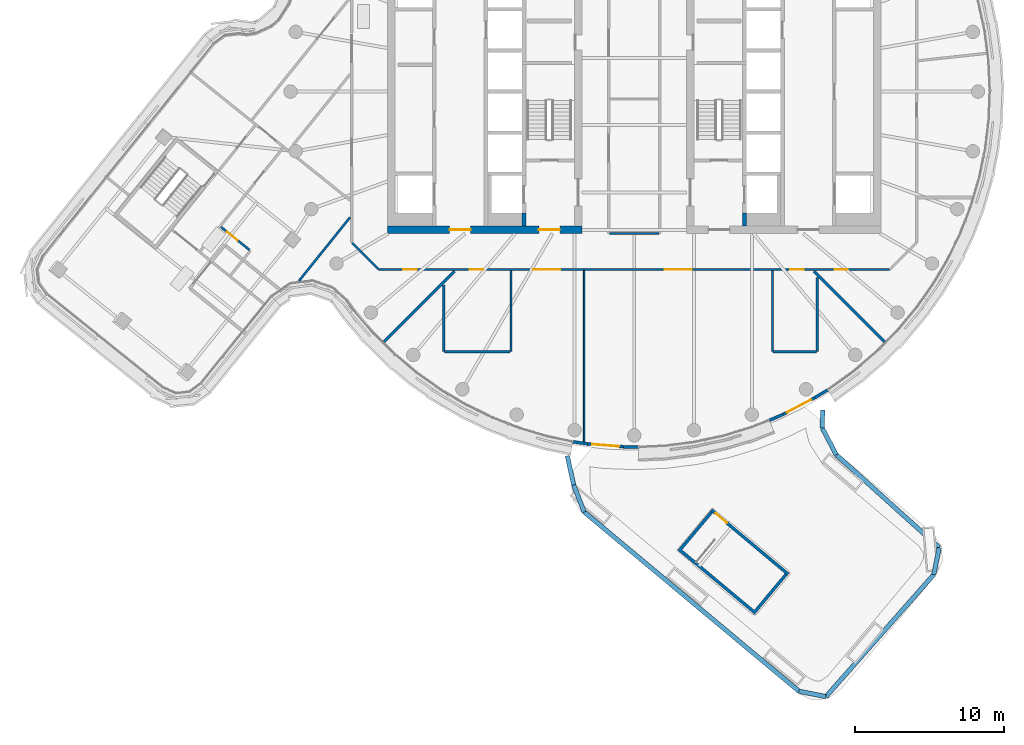
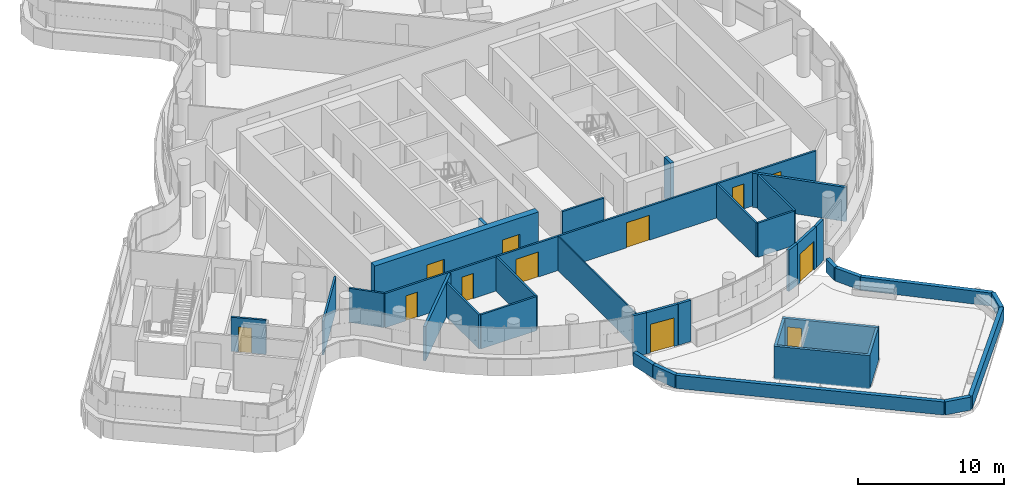
# One storey, part 15 of 25: 34 walls, 12 doors, 12 openings.
"""IFC4 building model written with IfcOpenShell, lengths in metres."""

from ifc_helpers import new_model, si_unit, direction, frame, frame_2d, origin, place, context, subcontext, project, spatial, polyline, rectangle, outline, extrude, material, layer, layer_set, type_object, element, fill, save


model = new_model("IFC4")

# Units and contexts
model_context = context("Model", 3, precision=1e-05, world=origin(), true_north=direction((0.0, 1.0)))
body_context = subcontext(model_context, "Body", "Model", "MODEL_VIEW")
ifc_project = project(units=[si_unit("LENGTHUNIT", "METRE"), si_unit("AREAUNIT", "SQUARE_METRE"), si_unit("VOLUMEUNIT", "CUBIC_METRE"), si_unit("PLANEANGLEUNIT", "RADIAN"), si_unit("MASSUNIT", "GRAM", prefix="KILO")], contexts=[model_context])

# Site, building, storey
site_placement = place(None, origin())
site = spatial("IfcSite", under=ifc_project, at=site_placement, CompositionType="ELEMENT")
building_placement = place(site_placement, origin())
building = spatial("IfcBuilding", under=site, at=building_placement, Name="Tamarind Cross Interchange Tower", CompositionType="ELEMENT")
storey_placement = place(building_placement, frame((0.0, 0.0, 219.89990234375)))
storey = spatial("IfcBuildingStorey", under=building, at=storey_placement, Name="L55", CompositionType="ELEMENT", Elevation=219.89990234375)

# Walls
ifc_material_1 = material(Name="Concrete C40", Category="concrete")
ifc_layer_1 = layer(ifc_material_1, 0.199951171875)
ifc_layer_set_1 = layer_set([ifc_layer_1], Name="Concrete C40")
wall_type_1 = type_object("IfcWallType", Name="Balcony and garden door wall", PredefinedType="SOLIDWALL", material=ifc_layer_set_1)
wall_1_placement = place(storey_placement, frame((-4.1064453125, -23.42822265625, 0.0), z_axis=(0.0, 0.0, 1.0), x_axis=(0.989625503151, -0.14367102531, 0.0)))
element("IfcWall", 1, at=wall_1_placement, inside=storey, type_object=wall_type_1, Name="EXW-L55-02-D05L", PredefinedType="SOLIDWALL", context=body_context, shape_type="SweptSolid", body=[
    extrude(rectangle(XDim=1.002685546875, YDim=0.199951171875, at=frame_2d((0.50146484375, 0.0))), origin(), (0.0, 0.0, 1.0), 3.460205078125),
])
wall_2_placement = place(storey_placement, frame((-0.72412109375, -23.764892578125, 0.0), z_axis=(0.0, 0.0, 1.0), x_axis=(0.999743717166, -0.022638462551, 0.0)))
element("IfcWall", 2, at=wall_2_placement, inside=storey, type_object=wall_type_1, Name="EXW-L55-02-D05R", PredefinedType="SOLIDWALL", context=body_context, shape_type="SweptSolid", body=[
    extrude(rectangle(XDim=1.0029296875, YDim=0.199951171875, at=frame_2d((0.50146484375, 0.0))), origin(), (0.0, 0.0, 1.0), 3.460205078125),
])

# Wall, opening, door
wall_3_placement = place(storey_placement, frame((-3.1142578125, -23.572265625, 0.0), z_axis=(0.0, 0.0, 1.0), x_axis=(0.996768164135, -0.080331979724, 0.0)))
wall_3 = element("IfcWall", 3, at=wall_3_placement, inside=storey, type_object=wall_type_1, Name="EXW-L55-02-D05", PredefinedType="SOLIDWALL", context=body_context, shape_type="SweptSolid", body=[
    extrude(rectangle(XDim=2.39794921875, YDim=0.199951171875, at=frame_2d((1.198974609375, 0.0))), origin(), (0.0, 0.0, 1.0), 3.460205078125),
])
opening_1_placement = place(wall_3_placement, frame((0.299072265625, 0.0, 0.0)))
opening_1 = element("IfcOpeningElement", 4, at=opening_1_placement, cuts=wall_3, Name="Opening D5", PredefinedType="OPENING", context=body_context, shape_type="SweptSolid", body=[
    extrude(rectangle(XDim=1.800048828125, YDim=2.39990234375, at=frame_2d((0.89990234375, 1.199951171875))), frame((0.0, 0.10986328125, 0.0), z_axis=(0.0, -1.0, 0.0), x_axis=(1.0, 0.0, 0.0)), (0.0, 0.0, 1.0), 0.219970703125),
])
ifc_material_2 = material(Name="Aluminium and toughened glass", Category="aluminium")
door_type_1 = type_object("IfcDoorType", Name="Roof garden door", OperationType="DOUBLE_DOOR_SINGLE_SWING", PredefinedType="DOOR", material=ifc_material_2)
door_1_placement = place(opening_1_placement, origin())
door_1 = element("IfcDoor", 5, at=door_1_placement, inside=storey, type_object=door_type_1, Name="DOR-L55-02-05", OperationType="SINGLE_SWING_LEFT", OverallHeight=2.39990234375, OverallWidth=1.800048828125, PredefinedType="DOOR", context=body_context, shape_type="SweptSolid", body=[
    extrude(rectangle(XDim=1.800048828125, YDim=2.39990234375, at=frame_2d((0.89990234375, 1.199951171875))), frame((0.0, 0.02490234375, 0.0), z_axis=(0.0, -1.0, 0.0), x_axis=(1.0, 0.0, 0.0)), (0.0, 0.0, 1.0), 0.050048828125),
])
fill(opening_1, door_1)

# Walls
wall_4_placement = place(storey_placement, frame((9.03564453125, -21.993896484375, 0.0), z_axis=(0.0, 0.0, 1.0), x_axis=(0.919346402996, 0.393449096197, 0.0)))
element("IfcWall", 6, at=wall_4_placement, inside=storey, type_object=wall_type_1, Name="EXW-L55-02-D08L", PredefinedType="SOLIDWALL", context=body_context, shape_type="SweptSolid", body=[
    extrude(rectangle(XDim=1.002685546875, YDim=0.199951171875, at=frame_2d((0.50146484375, 0.0))), origin(), (0.0, 0.0, 1.0), 3.460205078125),
])
wall_5_placement = place(storey_placement, frame((12.07861328125, -20.47998046875, 0.0), z_axis=(0.0, 0.0, 1.0), x_axis=(0.856762282609, 0.515711538652, 0.0)))
element("IfcWall", 7, at=wall_5_placement, inside=storey, type_object=wall_type_1, Name="EXW-L55-02-D08R", PredefinedType="SOLIDWALL", context=body_context, shape_type="SweptSolid", body=[
    extrude(rectangle(XDim=1.003662109375, YDim=0.199951171875, at=frame_2d((0.501953125, 0.0))), origin(), (0.0, 0.0, 1.0), 3.460205078125),
])

# Wall, opening, door
wall_6_placement = place(storey_placement, frame((9.95751953125, -21.599365234375, 0.0), z_axis=(0.0, 0.0, 1.0), x_axis=(0.884398759304, 0.466732080043, 0.0)))
wall_6 = element("IfcWall", 8, at=wall_6_placement, inside=storey, type_object=wall_type_1, Name="EXW-L55-02-D08", PredefinedType="SOLIDWALL", context=body_context, shape_type="SweptSolid", body=[
    extrude(rectangle(XDim=2.3984375, YDim=0.199951171875, at=frame_2d((1.19921875, 0.0))), origin(), (0.0, 0.0, 1.0), 3.460205078125),
])
opening_2_placement = place(wall_6_placement, frame((0.300048828125, 0.0, 0.0)))
opening_2 = element("IfcOpeningElement", 9, at=opening_2_placement, cuts=wall_6, Name="Opening D5", PredefinedType="OPENING", context=body_context, shape_type="SweptSolid", body=[
    extrude(rectangle(XDim=1.800048828125, YDim=2.39990234375, at=frame_2d((0.89990234375, 1.199951171875))), frame((0.0, 0.10986328125, 0.0), z_axis=(0.0, -1.0, 0.0), x_axis=(1.0, 0.0, 0.0)), (0.0, 0.0, 1.0), 0.219970703125),
])
door_2_placement = place(opening_2_placement, frame((1.800048828125, 0.0, 0.0), z_axis=(0.0, 0.0, 1.0), x_axis=(-1.0, 0.0, 0.0)))
door_2 = element("IfcDoor", 10, at=door_2_placement, inside=storey, type_object=door_type_1, Name="DOR-L55-02-08", OperationType="SINGLE_SWING_LEFT", OverallHeight=2.39990234375, OverallWidth=1.800048828125, PredefinedType="DOOR", context=body_context, shape_type="SweptSolid", body=[
    extrude(rectangle(XDim=1.800048828125, YDim=2.39990234375, at=frame_2d((0.89990234375, 1.199951171875))), frame((0.0, 0.02490234375, 0.0), z_axis=(0.0, -1.0, 0.0), x_axis=(1.0, 0.0, 0.0)), (0.0, 0.0, 1.0), 0.050048828125),
])
fill(opening_2, door_2)

# Wall, openings, doors
ifc_material_3 = material(Name="Concrete C50", Category="concrete")
ifc_layer_2 = layer(ifc_material_3, 0.5)
ifc_layer_set_2 = layer_set([ifc_layer_2], Name="Concrete C50")
wall_type_2 = type_object("IfcWallType", Name="Core wall 500 mm Concrete C50", PredefinedType="SHEAR", material=ifc_layer_set_2)
wall_7_placement = place(storey_placement, frame((-16.5, -9.25, 0.0), z_axis=(0.0, 0.0, 1.0), x_axis=(1.0, 0.0, 0.0)))
wall_7 = element("IfcWall", 11, at=wall_7_placement, inside=storey, type_object=wall_type_2, Name="Core wall CWL-L55-W-S", PredefinedType="SHEAR", context=body_context, shape_type="SweptSolid", body=[
    extrude(rectangle(XDim=13.0, YDim=0.5, at=frame_2d((6.5, 0.0))), origin(), (0.0, 0.0, 1.0), 3.460205078125),
])
opening_3_placement = place(wall_7_placement, frame((4.14990234375, 0.0, 0.0)))
opening_3 = element("IfcOpeningElement", 12, at=opening_3_placement, cuts=wall_7, Name="Opening DCW1", PredefinedType="OPENING", context=body_context, shape_type="SweptSolid", body=[
    extrude(rectangle(XDim=1.39990234375, YDim=2.10009765625, at=frame_2d((0.699951171875, 1.050048828125))), frame((0.0, 0.260009765625, 0.0), z_axis=(0.0, -1.0, 0.0), x_axis=(1.0, 0.0, 0.0)), (0.0, 0.0, 1.0), 0.52001953125),
])
opening_4_placement = place(wall_7_placement, frame((10.125, 0.0, 0.0)))
opening_4 = element("IfcOpeningElement", 13, at=opening_4_placement, cuts=wall_7, Name="Opening DCWF", PredefinedType="OPENING", context=body_context, shape_type="SweptSolid", body=[
    extrude(rectangle(XDim=1.39990234375, YDim=2.10009765625, at=frame_2d((0.699951171875, 1.050048828125))), frame((0.0, 0.260009765625, 0.0), z_axis=(0.0, -1.0, 0.0), x_axis=(1.0, 0.0, 0.0)), (0.0, 0.0, 1.0), 0.52001953125),
])
ifc_material_4 = material(Name="Steel, fire-resisting", Category="steel")
door_type_2 = type_object("IfcDoorType", Name="Core fire door 1400 x 2100 FD90", OperationType="SINGLE_SWING_LEFT", PredefinedType="DOOR", material=ifc_material_4)
door_3_placement = place(opening_3_placement, origin())
door_3 = element("IfcDoor", 14, at=door_3_placement, inside=storey, type_object=door_type_2, Name="L55 lift lobby door", OperationType="SINGLE_SWING_LEFT", OverallHeight=2.10009765625, OverallWidth=1.39990234375, PredefinedType="DOOR", context=body_context, shape_type="SweptSolid", body=[
    extrude(rectangle(XDim=1.39990234375, YDim=2.10009765625, at=frame_2d((0.699951171875, 1.050048828125))), frame((0.0, 0.02490234375, 0.0), z_axis=(0.0, -1.0, 0.0), x_axis=(1.0, 0.0, 0.0)), (0.0, 0.0, 1.0), 0.050048828125),
])
fill(opening_3, door_3)
door_4_placement = place(opening_4_placement, origin())
door_4 = element("IfcDoor", 15, at=door_4_placement, inside=storey, type_object=door_type_2, Name="L55 firefighting lobby end door", OperationType="SINGLE_SWING_LEFT", OverallHeight=2.10009765625, OverallWidth=1.39990234375, PredefinedType="DOOR", context=body_context, shape_type="SweptSolid", body=[
    extrude(rectangle(XDim=1.39990234375, YDim=2.10009765625, at=frame_2d((0.699951171875, 1.050048828125))), frame((0.0, 0.02490234375, 0.0), z_axis=(0.0, -1.0, 0.0), x_axis=(1.0, 0.0, 0.0)), (0.0, 0.0, 1.0), 0.050048828125),
])
fill(opening_4, door_4)

# Walls
ifc_layer_3 = layer(ifc_material_3, 0.25)
ifc_layer_set_3 = layer_set([ifc_layer_3], Name="Concrete C50")
wall_type_3 = type_object("IfcWallType", Name="Core web wall 250 mm Concrete C50", PredefinedType="SHEAR", material=ifc_layer_set_3)
for number, where, z_axis, x_axis, name in (
    (16, (-7.375, -9.0, 0.0), (0.0, 0.0, 1.0), (0.0, 1.0, 0.0), "Core wall CWL-L55-W-BW"),
    (17, (7.375, -9.0, 0.0), (0.0, 0.0, 1.0), (0.0, 1.0, 0.0), "Core wall CWL-L55-E-BW"),
):
    element("IfcWall", number, at=place(storey_placement, frame(where, z_axis=z_axis, x_axis=x_axis)), inside=storey, type_object=wall_type_3, Name=name, PredefinedType="SHEAR", context=body_context, shape_type="SweptSolid", body=[
        extrude(rectangle(XDim=0.875, YDim=0.25, at=frame_2d((0.4375, 0.0))), origin(), (0.0, 0.0, 1.0), 3.460205078125),
    ])
ifc_layer_4 = layer(ifc_material_1, 0.300048828125)
ifc_layer_set_4 = layer_set([ifc_layer_4], Name="Concrete C40")
wall_type_4 = type_object("IfcWallType", Name="Parapet upstand", PredefinedType="PARAPET", material=ifc_layer_set_4)
wall_8_placement = place(storey_placement, frame((-4.4775390625, -24.3671875, 0.0), z_axis=(0.0, 0.0, 1.0), x_axis=(0.212303366931, -0.977203806987, 0.0)))
element("IfcWall", 18, at=wall_8_placement, inside=storey, type_object=wall_type_4, Name="EXW-L55-PRTS0-00", PredefinedType="PARAPET", context=body_context, shape_type="SweptSolid", body=[
    extrude(rectangle(XDim=2.006591796875, YDim=0.300048828125, at=frame_2d((1.00341796875, 0.0))), origin(), (0.0, 0.0, 1.0), 1.10009765625),
])
wall_9_placement = place(storey_placement, frame((-4.051513671875, -26.328125, 0.0), z_axis=(0.0, 0.0, 1.0), x_axis=(0.364437425403, -0.931227879182, 0.0)))
element("IfcWall", 19, at=wall_9_placement, inside=storey, type_object=wall_type_4, Name="EXW-L55-PRTS0-01", PredefinedType="PARAPET", context=body_context, shape_type="SweptSolid", body=[
    extrude(rectangle(XDim=1.93408203125, YDim=0.300048828125, at=frame_2d((0.967041015625, 0.0))), origin(), (0.0, 0.0, 1.0), 1.10009765625),
])
wall_10_placement = place(storey_placement, frame((-3.3466796875, -28.129150390625, 0.0), z_axis=(0.0, 0.0, 1.0), x_axis=(0.767725702554, -0.640778624517, 0.0)))
element("IfcWall", 20, at=wall_10_placement, inside=storey, type_object=wall_type_4, Name="EXW-L55-PRTS0-02", PredefinedType="PARAPET", context=body_context, shape_type="SweptSolid", body=[
    extrude(rectangle(XDim=18.704833984375, YDim=0.300048828125, at=frame_2d((9.3525390625, 0.0))), origin(), (0.0, 0.0, 1.0), 1.10009765625),
])
wall_11_placement = place(storey_placement, frame((11.013427734375, -40.11474609375, 0.0), z_axis=(0.0, 0.0, 1.0), x_axis=(0.979950655704, -0.19924033825, 0.0)))
element("IfcWall", 21, at=wall_11_placement, inside=storey, type_object=wall_type_4, Name="EXW-L55-PRTS0-03", PredefinedType="PARAPET", context=body_context, shape_type="SweptSolid", body=[
    extrude(rectangle(XDim=1.847900390625, YDim=0.300048828125, at=frame_2d((0.923828125, 0.0))), origin(), (0.0, 0.0, 1.0), 1.10009765625),
])
wall_12_placement = place(storey_placement, frame((12.82421875, -40.48291015625, 0.0), z_axis=(0.0, 0.0, 1.0), x_axis=(0.662092152329, 0.74942243216, 0.0)))
element("IfcWall", 22, at=wall_12_placement, inside=storey, type_object=wall_type_4, Name="EXW-L55-PRTS0-04", PredefinedType="PARAPET", context=body_context, shape_type="SweptSolid", body=[
    extrude(rectangle(XDim=10.89453125, YDim=0.300048828125, at=frame_2d((5.447265625, 0.0))), origin(), (0.0, 0.0, 1.0), 1.10009765625),
])
wall_13_placement = place(storey_placement, frame((20.037353515625, -32.318359375, 0.0), z_axis=(0.0, 0.0, 1.0), x_axis=(0.199266137821, 0.979945409866, 0.0)))
element("IfcWall", 23, at=wall_13_placement, inside=storey, type_object=wall_type_4, Name="EXW-L55-PRTS0-05", PredefinedType="PARAPET", context=body_context, shape_type="SweptSolid", body=[
    extrude(rectangle(XDim=1.84765625, YDim=0.300048828125, at=frame_2d((0.923828125, 0.0))), origin(), (0.0, 0.0, 1.0), 1.10009765625),
])
wall_14_placement = place(storey_placement, frame((20.405517578125, -30.5078125, 0.0), z_axis=(0.0, 0.0, 1.0), x_axis=(-0.742848796998, 0.669459233112, 0.0)))
element("IfcWall", 24, at=wall_14_placement, inside=storey, type_object=wall_type_4, Name="EXW-L55-PRTS0-06", PredefinedType="PARAPET", context=body_context, shape_type="SweptSolid", body=[
    extrude(rectangle(XDim=9.271240234375, YDim=0.300048828125, at=frame_2d((4.6357421875, 0.0))), origin(), (0.0, 0.0, 1.0), 1.10009765625),
])
wall_15_placement = place(storey_placement, frame((13.518310546875, -24.301025390625, 0.0), z_axis=(0.0, 0.0, 1.0), x_axis=(-0.463191833095, 0.886258046933, 0.0)))
element("IfcWall", 25, at=wall_15_placement, inside=storey, type_object=wall_type_4, Name="EXW-L55-PRTS0-07", PredefinedType="PARAPET", context=body_context, shape_type="SweptSolid", body=[
    extrude(rectangle(XDim=2.026123046875, YDim=0.300048828125, at=frame_2d((1.01318359375, 0.0))), origin(), (0.0, 0.0, 1.0), 1.10009765625),
])
wall_16_placement = place(storey_placement, frame((12.579833984375, -22.50537109375, 0.0), z_axis=(0.0, 0.0, 1.0), x_axis=(0.020113792324, 0.999797697216, 0.0)))
element("IfcWall", 26, at=wall_16_placement, inside=storey, type_object=wall_type_4, Name="EXW-L55-PRTS0-08", PredefinedType="PARAPET", context=body_context, shape_type="SweptSolid", body=[
    extrude(rectangle(XDim=1.20166015625, YDim=0.300048828125, at=frame_2d((0.600830078125, 0.0))), origin(), (0.0, 0.0, 1.0), 1.10009765625),
])
ifc_material_5 = material(Name="Gypsum board partition on steel studs", Category="steel")
ifc_layer_5 = layer(ifc_material_5, 0.10009765625)
ifc_layer_set_5 = layer_set([ifc_layer_5], Name="Gypsum board partition on steel studs")
wall_type_5 = type_object("IfcWallType", Name="Partition 100 mm EI 90", PredefinedType="PARTITIONING", material=ifc_layer_set_5)
wall_17_placement = place(storey_placement, frame((-3.347900390625, -23.4423828125, 0.0), z_axis=(0.0, 0.0, 1.0), x_axis=(0.0, 1.0, 0.0)))
element("IfcWall", 27, at=wall_17_placement, inside=storey, type_object=wall_type_5, Name="Partition L55-054", PredefinedType="PARTITIONING", context=body_context, shape_type="SweptSolid", body=[
    extrude(rectangle(XDim=11.4873046875, YDim=0.10009765625, at=frame_2d((5.74365234375, 0.0))), origin(), (0.0, 0.0, 1.0), 2.864013671875),
])
ifc_layer_6 = layer(ifc_material_5, 0.14990234375)
ifc_layer_set_6 = layer_set([ifc_layer_6], Name="Gypsum board partition on steel studs")
wall_type_6 = type_object("IfcWallType", Name="Partition 150 mm EI 120", PredefinedType="PARTITIONING", material=ifc_layer_set_6)
wall_18_placement = place(storey_placement, frame((-18.87158203125, -10.12841796875, 0.0), z_axis=(0.0, 0.0, 1.0), x_axis=(0.707106781187, -0.707106781187, 0.0)))
element("IfcWall", 28, at=wall_18_placement, inside=storey, type_object=wall_type_6, Name="Partition L55-001", PredefinedType="PARTITIONING", context=body_context, shape_type="SweptSolid", body=[
    extrude(rectangle(XDim=2.465087890625, YDim=0.14990234375, at=frame_2d((1.232421875, 0.0))), origin(), (0.0, 0.0, 1.0), 2.864013671875),
])

# Wall, opening, door
wall_19_placement = place(storey_placement, frame((-27.645751953125, -9.06201171875, 0.0), z_axis=(0.0, 0.0, 1.0), x_axis=(0.779279142781, -0.626676964334, 0.0)))
wall_19 = element("IfcWall", 29, at=wall_19_placement, inside=storey, type_object=wall_type_6, Name="Partition L55-008", PredefinedType="PARTITIONING", context=body_context, shape_type="SweptSolid", body=[
    extrude(rectangle(XDim=2.4462890625, YDim=0.14990234375, at=frame_2d((1.22314453125, 0.0))), origin(), (0.0, 0.0, 1.0), 2.864013671875),
])
opening_5_placement = place(wall_19_placement, frame((0.52001953125, 0.0, 0.0)))
opening_5 = element("IfcOpeningElement", 30, at=opening_5_placement, cuts=wall_19, Name="Opening D03", PredefinedType="OPENING", context=body_context, shape_type="SweptSolid", body=[
    extrude(rectangle(XDim=0.89990234375, YDim=2.10009765625, at=frame_2d((0.449951171875, 1.050048828125))), frame((0.0, 0.0849609375, 0.0), z_axis=(0.0, -1.0, 0.0), x_axis=(1.0, 0.0, 0.0)), (0.0, 0.0, 1.0), 0.169921875),
])
ifc_material_6 = material(Name="Fire-resisting door set")
door_type_3 = type_object("IfcDoorType", Name="Interior door 900 x 2100 FD60S", OperationType="SINGLE_SWING_LEFT", PredefinedType="DOOR", material=ifc_material_6)
door_5_placement = place(opening_5_placement, frame((0.89990234375, 0.0, 0.0), z_axis=(0.0, 0.0, 1.0), x_axis=(-1.0, 0.0, 0.0)))
door_5 = element("IfcDoor", 31, at=door_5_placement, inside=storey, type_object=door_type_3, Name="Door D03", OperationType="SINGLE_SWING_LEFT", OverallHeight=2.10009765625, OverallWidth=0.89990234375, PredefinedType="DOOR", context=body_context, shape_type="SweptSolid", body=[
    extrude(rectangle(XDim=0.89990234375, YDim=2.10009765625, at=frame_2d((0.449951171875, 1.050048828125))), frame((0.0, 0.02490234375, 0.0), z_axis=(0.0, -1.0, 0.0), x_axis=(1.0, 0.0, 0.0)), (0.0, 0.0, 1.0), 0.050048828125),
])
fill(opening_5, door_5)

# Wall, openings, doors
wall_20_placement = place(storey_placement, frame((-17.10009765625, -11.89990234375, 0.0), z_axis=(0.0, 0.0, 1.0), x_axis=(1.0, 0.0, 0.0)))
wall_20 = element("IfcWall", 32, at=wall_20_placement, inside=storey, type_object=wall_type_6, Name="Partition L55-022", PredefinedType="PARTITIONING", context=body_context, shape_type="SweptSolid", body=[
    extrude(rectangle(XDim=34.1650390625, YDim=0.14990234375, at=frame_2d((17.08251953125, 0.0))), origin(), (0.0, 0.0, 1.0), 2.864013671875),
])
opening_6_placement = place(wall_20_placement, frame((6.10009765625, 0.0, 0.0)))
opening_6 = element("IfcOpeningElement", 33, at=opening_6_placement, cuts=wall_20, Name="Opening D12", PredefinedType="OPENING", context=body_context, shape_type="SweptSolid", body=[
    extrude(rectangle(XDim=0.89990234375, YDim=2.10009765625, at=frame_2d((0.449951171875, 1.050048828125))), frame((0.0, 0.0849609375, 0.0), z_axis=(0.0, -1.0, 0.0), x_axis=(1.0, 0.0, 0.0)), (0.0, 0.0, 1.0), 0.169921875),
])
opening_7_placement = place(wall_20_placement, frame((27.541015625, 0.0, 0.0)))
opening_7 = element("IfcOpeningElement", 34, at=opening_7_placement, cuts=wall_20, Name="Opening D13", PredefinedType="OPENING", context=body_context, shape_type="SweptSolid", body=[
    extrude(rectangle(XDim=0.89990234375, YDim=2.10009765625, at=frame_2d((0.449951171875, 1.050048828125))), frame((0.0, 0.0849609375, 0.0), z_axis=(0.0, -1.0, 0.0), x_axis=(1.0, 0.0, 0.0)), (0.0, 0.0, 1.0), 0.169921875),
])
opening_8_placement = place(wall_20_placement, frame((19.152099609375, 0.0, 0.0)))
opening_8 = element("IfcOpeningElement", 35, at=opening_8_placement, cuts=wall_20, Name="Opening D14", PredefinedType="OPENING", context=body_context, shape_type="SweptSolid", body=[
    extrude(rectangle(XDim=1.800048828125, YDim=2.10009765625, at=frame_2d((0.89990234375, 1.050048828125))), frame((0.0, 0.0849609375, 0.0), z_axis=(0.0, -1.0, 0.0), x_axis=(1.0, 0.0, 0.0)), (0.0, 0.0, 1.0), 0.169921875),
])
opening_9_placement = place(wall_20_placement, frame((10.35888671875, 0.0, 0.0)))
opening_9 = element("IfcOpeningElement", 36, at=opening_9_placement, cuts=wall_20, Name="Opening D15", PredefinedType="OPENING", context=body_context, shape_type="SweptSolid", body=[
    extrude(rectangle(XDim=1.800048828125, YDim=2.10009765625, at=frame_2d((0.89990234375, 1.050048828125))), frame((0.0, 0.0849609375, 0.0), z_axis=(0.0, -1.0, 0.0), x_axis=(1.0, 0.0, 0.0)), (0.0, 0.0, 1.0), 0.169921875),
])
opening_10_placement = place(wall_20_placement, frame((30.5, 0.0, 0.0)))
opening_10 = element("IfcOpeningElement", 37, at=opening_10_placement, cuts=wall_20, Name="Opening D16", PredefinedType="OPENING", context=body_context, shape_type="SweptSolid", body=[
    extrude(rectangle(XDim=0.89990234375, YDim=2.10009765625, at=frame_2d((0.449951171875, 1.050048828125))), frame((0.0, 0.0849609375, 0.0), z_axis=(0.0, -1.0, 0.0), x_axis=(1.0, 0.0, 0.0)), (0.0, 0.0, 1.0), 0.169921875),
])
opening_11_placement = place(wall_20_placement, frame((1.64990234375, 0.0, 0.0)))
opening_11 = element("IfcOpeningElement", 38, at=opening_11_placement, cuts=wall_20, Name="Opening D17", PredefinedType="OPENING", context=body_context, shape_type="SweptSolid", body=[
    extrude(rectangle(XDim=0.89990234375, YDim=2.10009765625, at=frame_2d((0.449951171875, 1.050048828125))), frame((0.0, 0.0849609375, 0.0), z_axis=(0.0, -1.0, 0.0), x_axis=(1.0, 0.0, 0.0)), (0.0, 0.0, 1.0), 0.169921875),
])
door_type_4 = type_object("IfcDoorType", Name="Interior door 1800 x 2100 FD60S", OperationType="DOUBLE_DOOR_SINGLE_SWING", PredefinedType="DOOR", material=ifc_material_6)
door_6_placement = place(opening_8_placement, origin())
door_6 = element("IfcDoor", 39, at=door_6_placement, inside=storey, type_object=door_type_4, Name="Door D14", OperationType="DOUBLE_DOOR_SINGLE_SWING", OverallHeight=2.10009765625, OverallWidth=1.800048828125, PredefinedType="DOOR", context=body_context, shape_type="SweptSolid", body=[
    extrude(rectangle(XDim=1.800048828125, YDim=2.10009765625, at=frame_2d((0.89990234375, 1.050048828125))), frame((0.0, 0.02490234375, 0.0), z_axis=(0.0, -1.0, 0.0), x_axis=(1.0, 0.0, 0.0)), (0.0, 0.0, 1.0), 0.050048828125),
])
fill(opening_8, door_6)
door_7_placement = place(opening_9_placement, frame((1.800048828125, 0.0, 0.0), z_axis=(0.0, 0.0, 1.0), x_axis=(-1.0, 0.0, 0.0)))
door_7 = element("IfcDoor", 40, at=door_7_placement, inside=storey, type_object=door_type_4, Name="Door D15", OperationType="DOUBLE_DOOR_SINGLE_SWING", OverallHeight=2.10009765625, OverallWidth=1.800048828125, PredefinedType="DOOR", context=body_context, shape_type="SweptSolid", body=[
    extrude(rectangle(XDim=1.800048828125, YDim=2.10009765625, at=frame_2d((0.89990234375, 1.050048828125))), frame((0.0, 0.02490234375, 0.0), z_axis=(0.0, -1.0, 0.0), x_axis=(1.0, 0.0, 0.0)), (0.0, 0.0, 1.0), 0.050048828125),
])
fill(opening_9, door_7)
door_8_placement = place(opening_6_placement, frame((0.89990234375, 0.0, 0.0), z_axis=(0.0, 0.0, 1.0), x_axis=(-1.0, 0.0, 0.0)))
door_8 = element("IfcDoor", 41, at=door_8_placement, inside=storey, type_object=door_type_3, Name="Door D12", OperationType="SINGLE_SWING_LEFT", OverallHeight=2.10009765625, OverallWidth=0.89990234375, PredefinedType="DOOR", context=body_context, shape_type="SweptSolid", body=[
    extrude(rectangle(XDim=0.89990234375, YDim=2.10009765625, at=frame_2d((0.449951171875, 1.050048828125))), frame((0.0, 0.02490234375, 0.0), z_axis=(0.0, -1.0, 0.0), x_axis=(1.0, 0.0, 0.0)), (0.0, 0.0, 1.0), 0.050048828125),
])
fill(opening_6, door_8)
door_9_placement = place(opening_7_placement, frame((0.89990234375, 0.0, 0.0), z_axis=(0.0, 0.0, 1.0), x_axis=(-1.0, 0.0, 0.0)))
door_9 = element("IfcDoor", 42, at=door_9_placement, inside=storey, type_object=door_type_3, Name="Door D13", OperationType="SINGLE_SWING_RIGHT", OverallHeight=2.10009765625, OverallWidth=0.89990234375, PredefinedType="DOOR", context=body_context, shape_type="SweptSolid", body=[
    extrude(rectangle(XDim=0.89990234375, YDim=2.10009765625, at=frame_2d((0.449951171875, 1.050048828125))), frame((0.0, 0.02490234375, 0.0), z_axis=(0.0, -1.0, 0.0), x_axis=(1.0, 0.0, 0.0)), (0.0, 0.0, 1.0), 0.050048828125),
])
fill(opening_7, door_9)
door_10_placement = place(opening_10_placement, frame((0.89990234375, 0.0, 0.0), z_axis=(0.0, 0.0, 1.0), x_axis=(-1.0, 0.0, 0.0)))
door_10 = element("IfcDoor", 43, at=door_10_placement, inside=storey, type_object=door_type_3, Name="Door D16", OperationType="SINGLE_SWING_RIGHT", OverallHeight=2.10009765625, OverallWidth=0.89990234375, PredefinedType="DOOR", context=body_context, shape_type="SweptSolid", body=[
    extrude(rectangle(XDim=0.89990234375, YDim=2.10009765625, at=frame_2d((0.449951171875, 1.050048828125))), frame((0.0, 0.02490234375, 0.0), z_axis=(0.0, -1.0, 0.0), x_axis=(1.0, 0.0, 0.0)), (0.0, 0.0, 1.0), 0.050048828125),
])
fill(opening_10, door_10)
door_11_placement = place(opening_11_placement, frame((0.89990234375, 0.0, 0.0), z_axis=(0.0, 0.0, 1.0), x_axis=(-1.0, 0.0, 0.0)))
door_11 = element("IfcDoor", 44, at=door_11_placement, inside=storey, type_object=door_type_3, Name="Door D17", OperationType="SINGLE_SWING_LEFT", OverallHeight=2.10009765625, OverallWidth=0.89990234375, PredefinedType="DOOR", context=body_context, shape_type="SweptSolid", body=[
    extrude(rectangle(XDim=0.89990234375, YDim=2.10009765625, at=frame_2d((0.449951171875, 1.050048828125))), frame((0.0, 0.02490234375, 0.0), z_axis=(0.0, -1.0, 0.0), x_axis=(1.0, 0.0, 0.0)), (0.0, 0.0, 1.0), 0.050048828125),
])
fill(opening_11, door_11)

# Walls
wall_21_placement = place(storey_placement, frame((-12.68603515625, -17.39990234375, 0.0), z_axis=(0.0, 0.0, 1.0), x_axis=(1.0, 0.0, 0.0)))
element("IfcWall", 45, at=wall_21_placement, inside=storey, type_object=wall_type_6, Name="Partition L55-024", PredefinedType="PARTITIONING", context=body_context, shape_type="SweptSolid", body=[
    extrude(rectangle(XDim=4.39013671875, YDim=0.14990234375, at=frame_2d((2.195068359375, 0.0))), origin(), (0.0, 0.0, 1.0), 2.864013671875),
])
wall_22_placement = place(storey_placement, frame((9.2958984375, -17.39990234375, 0.0), z_axis=(0.0, 0.0, 1.0), x_axis=(1.0, 0.0, 0.0)))
element("IfcWall", 46, at=wall_22_placement, inside=storey, type_object=wall_type_6, Name="Partition L55-025", PredefinedType="PARTITIONING", context=body_context, shape_type="SweptSolid", body=[
    extrude(rectangle(XDim=2.89013671875, YDim=0.14990234375, at=frame_2d((1.445068359375, 0.0))), origin(), (0.0, 0.0, 1.0), 2.864013671875),
])
wall_23_placement = place(storey_placement, frame((-1.639892578125, -9.5, 0.0), z_axis=(0.0, 0.0, 1.0), x_axis=(1.0, 0.0, 0.0)))
element("IfcWall", 47, at=wall_23_placement, inside=storey, type_object=wall_type_6, Name="Partition L55-026", PredefinedType="PARTITIONING", context=body_context, shape_type="SweptSolid", body=[
    extrude(rectangle(XDim=3.27978515625, YDim=0.14990234375, at=frame_2d((1.639892578125, 0.0))), origin(), (0.0, 0.0, 1.0), 2.864013671875),
])
wall_24_placement = place(storey_placement, frame((-22.431884765625, -12.664794921875, 0.0), z_axis=(0.0, 0.0, 1.0), x_axis=(0.626703070083, 0.779258148464, 0.0)))
element("IfcWall", 48, at=wall_24_placement, inside=storey, type_object=wall_type_6, Name="Partition L55-039", PredefinedType="PARTITIONING", context=body_context, shape_type="SweptSolid", body=[
    extrude(rectangle(XDim=5.45068359375, YDim=0.14990234375, at=frame_2d((2.725341796875, 0.0))), origin(), (0.0, 0.0, 1.0), 2.864013671875),
])
wall_25_placement = place(storey_placement, frame((-12.740966796875, -17.39990234375, 0.0), z_axis=(0.0, 0.0, 1.0), x_axis=(0.0, 1.0, 0.0)))
element("IfcWall", 49, at=wall_25_placement, inside=storey, type_object=wall_type_6, Name="Partition L55-052", PredefinedType="PARTITIONING", context=body_context, shape_type="SweptSolid", body=[
    extrude(rectangle(XDim=4.458984375, YDim=0.14990234375, at=frame_2d((2.2294921875, 0.0))), origin(), (0.0, 0.0, 1.0), 2.864013671875),
])
for number, where, z_axis, x_axis, name in (
    (50, (-8.240966796875, -17.39990234375, 0.0), (0.0, 0.0, 1.0), (0.0, 1.0, 0.0), "Partition L55-053"),
    (51, (9.240966796875, -17.39990234375, 0.0), (0.0, 0.0, 1.0), (0.0, 1.0, 0.0), "Partition L55-057"),
):
    element("IfcWall", number, at=place(storey_placement, frame(where, z_axis=z_axis, x_axis=x_axis)), inside=storey, type_object=wall_type_6, Name=name, PredefinedType="PARTITIONING", context=body_context, shape_type="SweptSolid", body=[
        extrude(rectangle(XDim=5.44482421875, YDim=0.14990234375, at=frame_2d((2.722412109375, 0.0))), origin(), (0.0, 0.0, 1.0), 2.864013671875),
    ])
wall_26_placement = place(storey_placement, frame((12.240966796875, -17.39990234375, 0.0), z_axis=(0.0, 0.0, 1.0), x_axis=(0.0, 1.0, 0.0)))
element("IfcWall", 52, at=wall_26_placement, inside=storey, type_object=wall_type_6, Name="Partition L55-058", PredefinedType="PARTITIONING", context=body_context, shape_type="SweptSolid", body=[
    extrude(rectangle(XDim=4.958984375, YDim=0.14990234375, at=frame_2d((2.4794921875, 0.0))), origin(), (0.0, 0.0, 1.0), 2.864013671875),
])
ifc_layer_7 = layer(ifc_material_5, 0.199951171875)
ifc_layer_set_7 = layer_set([ifc_layer_7], Name="Gypsum board partition on steel studs")
wall_type_7 = type_object("IfcWallType", Name="Partition 200 mm EI 180", PredefinedType="PARTITIONING", material=ifc_layer_set_7)
for number, where, z_axis, x_axis, name in (
    (53, (12.02734375, -12.02734375, 0.0), (0.0, 0.0, 1.0), (0.707106781187, -0.707106781187, 0.0), "Partition L55-002"),
    (54, (-16.740478515625, -16.740478515625, 0.0), (0.0, 0.0, 1.0), (0.707106781187, 0.707106781187, 0.0), "Partition L55-032"),
):
    element("IfcWall", number, at=place(storey_placement, frame(where, z_axis=z_axis, x_axis=x_axis)), inside=storey, type_object=wall_type_7, Name=name, PredefinedType="PARTITIONING", context=body_context, shape_type="SweptSolid", body=[
        extrude(rectangle(XDim=6.665283203125, YDim=0.199951171875, at=frame_2d((3.33251953125, 0.0))), origin(), (0.0, 0.0, 1.0), 2.864013671875),
    ])

# Wall, opening, door
ifc_layer_8 = layer(ifc_material_1, 0.199951171875)
ifc_layer_set_8 = layer_set([ifc_layer_8], Name="Concrete C40")
wall_type_8 = type_object("IfcWallType", Name="Stair shaft wall 200 mm Concrete C40", PredefinedType="SHEAR", material=ifc_layer_set_8)
wall_27_placement = place(storey_placement, frame((5.1552734375, -27.99609375, 0.0), z_axis=(0.0, 0.0, 1.0), x_axis=(0.767728232678, -0.640775593129, 0.0)))
wall_27 = element("IfcWall", 55, at=wall_27_placement, inside=storey, type_object=wall_type_8, Name="Core wall CWL-L55-ST6-HH", PredefinedType="SHEAR", context=body_context, shape_type="SweptSolid", body=[
    extrude(rectangle(XDim=6.699951171875, YDim=0.199951171875, at=frame_2d((3.35009765625, 0.0))), origin(), (0.0, 0.0, 1.0), 2.800048828125),
])
opening_12_placement = place(wall_27_placement, frame((0.35009765625, 0.0, 0.0)))
opening_12 = element("IfcOpeningElement", 56, at=opening_12_placement, cuts=wall_27, Name="Opening ST6R", PredefinedType="OPENING", context=body_context, shape_type="SweptSolid", body=[
    extrude(rectangle(XDim=1.0, YDim=2.10009765625, at=frame_2d((0.5, 1.050048828125))), frame((0.0, 0.10986328125, 0.0), z_axis=(0.0, -1.0, 0.0), x_axis=(1.0, 0.0, 0.0)), (0.0, 0.0, 1.0), 0.219970703125),
])
door_type_5 = type_object("IfcDoorType", Name="Core fire door 1000 x 2100 FD90", OperationType="SINGLE_SWING_LEFT", PredefinedType="DOOR", material=ifc_material_4)
door_12_placement = place(opening_12_placement, origin())
door_12 = element("IfcDoor", 57, at=door_12_placement, inside=storey, type_object=door_type_5, Name="L55 roof terrace door ST6", OperationType="SINGLE_SWING_LEFT", OverallHeight=2.10009765625, OverallWidth=1.0, PredefinedType="DOOR", context=body_context, shape_type="SweptSolid", body=[
    extrude(rectangle(XDim=1.0, YDim=2.10009765625, at=frame_2d((0.5, 1.050048828125))), frame((0.0, 0.02490234375, 0.0), z_axis=(0.0, -1.0, 0.0), x_axis=(1.0, 0.0, 0.0)), (0.0, 0.0, 1.0), 0.050048828125),
])
fill(opening_12, door_12)

# Wall
wall_28_placement = place(storey_placement, origin())
element("IfcWall", 58, at=wall_28_placement, inside=storey, type_object=wall_type_8, Name="Core wall CWL-L55-ST6-HC", PredefinedType="SHEAR", context=body_context, shape_type="SweptSolid", body=[
    extrude(outline(polyline([(2.91259765625, -30.68310546875), (8.056396484375, -34.976318359375), (10.235107421875, -32.3662109375), (10.081298828125, -32.23779296875), (8.031005859375, -34.694580078125), (3.1943359375, -30.65771484375), (5.24462890625, -28.200927734375), (5.09130859375, -28.072998046875), (2.91259765625, -30.68310546875)])), origin(), (0.0, 0.0, 1.0), 2.800048828125),
])

save(model, "model.ifc")
